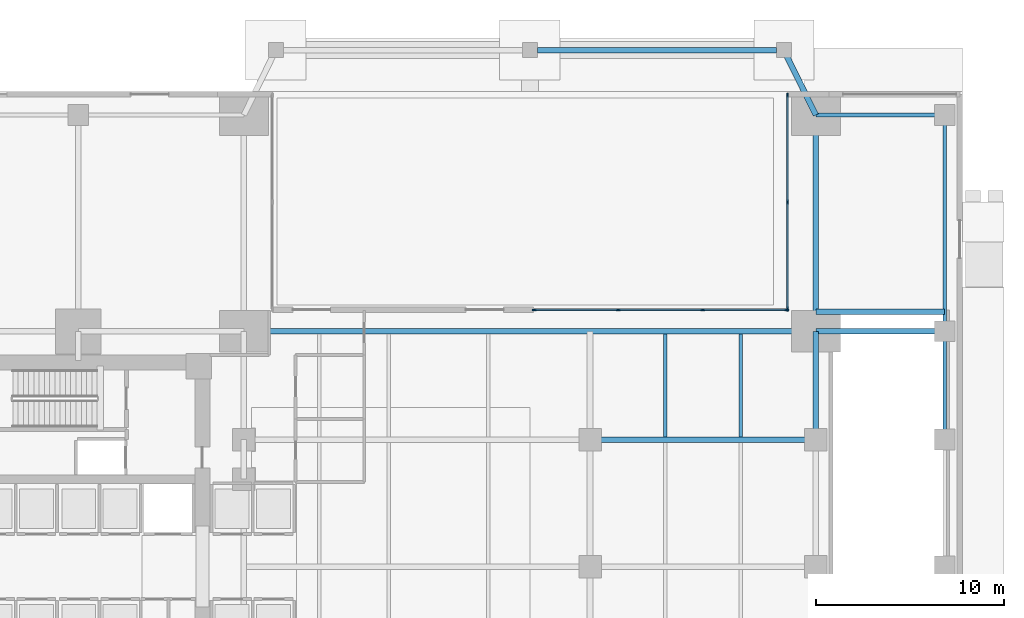
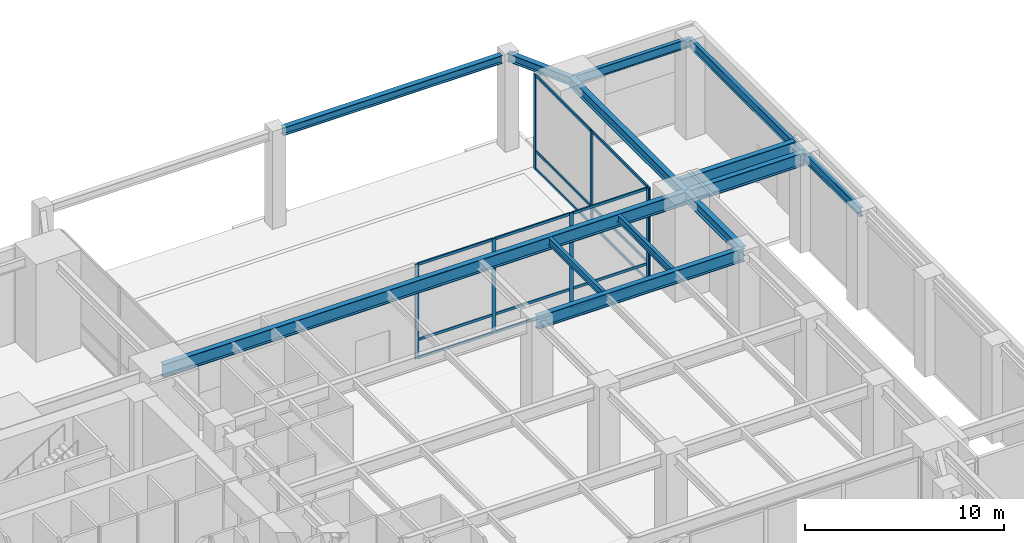
# One storey, part 7 of 17: 22 members, 13 beams, 2 elements without a shape of their own.
"""IFC4 building model written with IfcOpenShell, lengths in metres."""

import ifcopenshell
import ifcopenshell.guid

model = None  # the IFC model being written
_history = None  # IfcOwnerHistory: only IFC2X3 demands one
_inside = {}  # id of a spatial element -> (the spatial element, [elements in it])
_under = {}  # id of a project, library or spatial element -> (it, [spatial elements below it])
_declared = {}  # id of a project -> (the project, [libraries it declares])
_typed = {}  # id of a type object -> (the type object, [elements of that type])
_made_of = {}  # id of a material, layer set ... -> (it, [elements and type objects made of it])


def new_model(schema):
    """Start an empty IFC model of exactly this schema.

    Asked for "IFC4X3", IfcOpenShell would pick the latest addendum, in which some entities
    have other attributes; the version numbers below select the first issue.
    IFC2X3 requires an IfcOwnerHistory on every rooted entity: one is made here for all.
    """
    global model, _history
    if schema == "IFC4X3":
        model = ifcopenshell.file(schema_version=(4, 3, 0, 0))
    else:
        model = ifcopenshell.file(schema=schema)
    _inside.clear()
    _under.clear()
    _declared.clear()
    _typed.clear()
    _made_of.clear()
    _history = None
    if model.schema == "IFC2X3":
        org = make("IfcOrganization", Name="unknown")
        user = make(
            "IfcPersonAndOrganization",
            ThePerson=make("IfcPerson", FamilyName="unknown"),
            TheOrganization=org,
        )
        app = make(
            "IfcApplication",
            ApplicationDeveloper=org,
            Version="unknown",
            ApplicationFullName="unknown",
            ApplicationIdentifier="unknown",
        )
        _history = make(
            "IfcOwnerHistory",
            OwningUser=user,
            OwningApplication=app,
            ChangeAction="ADDED",
            CreationDate=0,
        )
    return model


def make(cls, **values):
    """One entity of the class cls with the attributes given. An attribute that is None is left unset."""
    return model.create_entity(
        cls, **{name: value for name, value in values.items() if value is not None}
    )


def rooted(cls, **values):
    """An entity with a GlobalId (a new one), such as an element, a storey or a relation."""
    return make(cls, GlobalId=ifcopenshell.guid.new(), OwnerHistory=_history, **values)


def si_unit(unit_type, name, prefix=None):
    """IfcSIUnit, for example si_unit("LENGTHUNIT", "METRE", prefix="MILLI")."""
    return make("IfcSIUnit", UnitType=unit_type, Prefix=prefix, Name=name)


def assignment(units):
    """IfcUnitAssignment: the units of a project."""
    return None if units is None else make("IfcUnitAssignment", Units=units)


def point(xyz):
    """IfcCartesianPoint."""
    return None if xyz is None else make("IfcCartesianPoint", Coordinates=xyz)


def direction(xyz):
    """IfcDirection."""
    return None if xyz is None else make("IfcDirection", DirectionRatios=xyz)


def frame(location, z_axis=None, x_axis=None):
    """IfcAxis2Placement3D, a coordinate frame: its origin and axes. An axis left out is left unset."""
    return make(
        "IfcAxis2Placement3D",
        Location=point(location),
        Axis=direction(z_axis),
        RefDirection=direction(x_axis),
    )


def frame_2d(location, x_axis=None):
    """IfcAxis2Placement2D, a coordinate frame in the plane: its origin and x axis."""
    return make(
        "IfcAxis2Placement2D", Location=point(location), RefDirection=direction(x_axis)
    )


def origin():
    """The frame at (0, 0, 0) with its axes left unset."""
    return frame((0.0, 0.0, 0.0))


def origin_2d():
    """The frame at (0, 0) in the plane with its x axis left unset."""
    return frame_2d((0.0, 0.0))


def place(relative_to, where):
    """IfcLocalPlacement: puts the frame where relative to a parent placement (None: the world)."""
    return make(
        "IfcLocalPlacement", PlacementRelTo=relative_to, RelativePlacement=where
    )


def context(
    kind, dimensions, precision=None, world=None, true_north=None, identifier=None
):
    """IfcGeometricRepresentationContext, for example the 3D "Model" context."""
    return make(
        "IfcGeometricRepresentationContext",
        ContextIdentifier=identifier,
        ContextType=kind,
        CoordinateSpaceDimension=dimensions,
        Precision=precision,
        WorldCoordinateSystem=world,
        TrueNorth=true_north,
    )


def subcontext(parent, identifier, kind, view, scale=None):
    """IfcGeometricRepresentationSubContext, for example "Body" below "Model"."""
    return make(
        "IfcGeometricRepresentationSubContext",
        ContextIdentifier=identifier,
        ContextType=kind,
        ParentContext=parent,
        TargetScale=scale,
        TargetView=view,
    )


def project(units=None, contexts=None):
    """IfcProject with its units and contexts."""
    return rooted(
        "IfcProject",
        Name="project",
        RepresentationContexts=contexts,
        UnitsInContext=assignment(units),
    )


def spatial(cls, under=None, at=None, **own):
    """A site, building, storey or space (cls), placed at a placement, below another one or the project."""
    s = rooted(cls, ObjectPlacement=at, **own)
    if under is not None:
        _under.setdefault(under.id(), (under, []))[1].append(s)
    return s


def profile(cls, at=None, kind="AREA", **sizes):
    """A parametric profile (cls). Its sizes go by their IFC names, for example OverallWidth=200.0."""
    return make(cls, ProfileType=kind, Position=at, **sizes)


def rectangle(**sizes):
    """IfcRectangleProfileDef."""
    return profile("IfcRectangleProfileDef", **sizes)


def i_section(**sizes):
    """IfcIShapeProfileDef."""
    return profile("IfcIShapeProfileDef", **sizes)


def extrude(swept, where, along, depth):
    """IfcExtrudedAreaSolid: the profile swept, set in the frame where, extruded along a direction by depth."""
    return make(
        "IfcExtrudedAreaSolid",
        SweptArea=swept,
        Position=where,
        ExtrudedDirection=direction(along),
        Depth=depth,
    )


def shape(context_of_items, identifier, shape_type, items):
    """IfcShapeRepresentation: the items that make up one representation, for example the "Body"."""
    return make(
        "IfcShapeRepresentation",
        ContextOfItems=context_of_items,
        RepresentationIdentifier=identifier,
        RepresentationType=shape_type,
        Items=items,
    )


def material(Name=None, Category=None):
    """IfcMaterial."""
    return make("IfcMaterial", Name=Name, Category=Category)


def layer(
    of_material, thickness, ventilated=None, Name=None, Category=None, Priority=None
):
    """IfcMaterialLayer: one layer of a wall or slab, of a material (None: an air gap)."""
    return make(
        "IfcMaterialLayer",
        Material=of_material,
        LayerThickness=thickness,
        IsVentilated=ventilated,
        Name=Name,
        Category=Category,
        Priority=Priority,
    )


def layer_set(layers, Name=None):
    """IfcMaterialLayerSet."""
    return make("IfcMaterialLayerSet", MaterialLayers=layers, LayerSetName=Name)


def material_profile(
    of_material, cross_section, Name=None, Category=None, Priority=None
):
    """IfcMaterialProfile: a cross section and its material."""
    return make(
        "IfcMaterialProfile",
        Name=Name,
        Material=of_material,
        Profile=cross_section,
        Priority=Priority,
        Category=Category,
    )


def profile_set(profiles, Name=None, composite=None):
    """IfcMaterialProfileSet."""
    return make(
        "IfcMaterialProfileSet",
        Name=Name,
        MaterialProfiles=profiles,
        CompositeProfile=composite,
    )


def made_of(thing, what):
    """Note that an element or type object is made of a material, layer set ...; save() writes the relation."""
    if what is not None:
        _made_of.setdefault(what.id(), (what, []))[1].append(thing)
    return thing


def type_object(cls, material=None, **own):
    """A type object (cls), such as IfcWallType, which elements share."""
    return made_of(rooted(cls, **own), material)


def element(
    cls,
    number,
    at=None,
    inside=None,
    cuts=None,
    type_object=None,
    material=None,
    context=None,
    identifier="Body",
    shape_type=None,
    held_by="IfcProductDefinitionShape",
    body=None,
    shapes=None,
    **own,
):
    """One element of the class cls, such as IfcWall. Its Tag is "e" and its number.

    at: its placement. inside: the storey or other place that contains it. cuts: it is an
    opening in that element (IfcRelVoidsElement). A single representation is given by context,
    identifier, shape_type and body (its items); several are given by shapes. held_by: the class
    of the entity that holds the representations. save() writes the other relations.
    """
    e = rooted(cls, Tag="e%d" % number, ObjectPlacement=at, **own)
    if body is not None:
        shapes = [shape(context, identifier, shape_type, body)]
    if shapes is not None:
        e.Representation = make(held_by, Representations=shapes)
    if inside is not None:
        _inside.setdefault(inside.id(), (inside, []))[1].append(e)
    if cuts is not None:
        rooted(
            "IfcRelVoidsElement", RelatingBuildingElement=cuts, RelatedOpeningElement=e
        )
    if type_object is not None:
        _typed.setdefault(type_object.id(), (type_object, []))[1].append(e)
    return made_of(e, material)


def aggregate(whole, parts):
    """IfcRelAggregates: a whole, such as a stair, and the parts it consists of."""
    return rooted("IfcRelAggregates", RelatingObject=whole, RelatedObjects=parts)


def save(model, path):
    """Write the relations noted so far, then the file.

    IfcRelAggregates (storeys below a building ...), IfcRelContainedInSpatialStructure (elements
    in a storey), IfcRelDefinesByType, IfcRelAssociatesMaterial and IfcRelDeclares: one each for
    every whole, place, type object, material and project.
    """
    for whole, parts in _under.values():
        aggregate(whole, parts)
    for where, things in _inside.values():
        rooted(
            "IfcRelContainedInSpatialStructure",
            RelatedElements=things,
            RelatingStructure=where,
        )
    for kind, things in _typed.values():
        rooted("IfcRelDefinesByType", RelatedObjects=things, RelatingType=kind)
    for what, things in _made_of.values():
        rooted("IfcRelAssociatesMaterial", RelatedObjects=things, RelatingMaterial=what)
    for by, libraries in _declared.values():
        rooted("IfcRelDeclares", RelatingContext=by, RelatedDefinitions=libraries)
    model.write(path)


model = new_model("IFC4")

# Units and contexts
model_context = context("Model", 3, precision=1e-05, world=origin(), true_north=direction((0.0, 1.0)))
body_context = subcontext(model_context, "Body", "Model", "MODEL_VIEW")
ifc_project = project(units=[si_unit("LENGTHUNIT", "METRE"), si_unit("AREAUNIT", "SQUARE_METRE"), si_unit("VOLUMEUNIT", "CUBIC_METRE"), si_unit("PLANEANGLEUNIT", "RADIAN"), si_unit("MASSUNIT", "GRAM", prefix="KILO")], contexts=[model_context])

# Site, building, storey
site_placement = place(None, origin())
site = spatial("IfcSite", under=ifc_project, at=site_placement, CompositionType="ELEMENT")
building_placement = place(site_placement, origin())
building = spatial("IfcBuilding", under=site, at=building_placement, Name="Kinhvarn Gate Tower", CompositionType="ELEMENT")
storey_placement = place(building_placement, origin())
storey = spatial("IfcBuildingStorey", under=building, at=storey_placement, Name="L00", CompositionType="ELEMENT", Elevation=0.0)

# Curtain wall, members
ifc_material_1 = material(Name="Anodised aluminium AW-6063", Category="aluminium")
ifc_layer = layer(ifc_material_1, 0.219970703125)
ifc_layer_set = layer_set([ifc_layer], Name="Anodised aluminium AW-6063")
curtain_wall_type = type_object("IfcCurtainWallType", Name="CW-SYS-1", PredefinedType="NOTDEFINED", material=ifc_layer_set)
curtain_wall_1_placement = place(storey_placement, origin())
curtain_wall_1 = element("IfcCurtainWall", 1, at=curtain_wall_1_placement, inside=storey, type_object=curtain_wall_type, Name="Curtain Wall CW1 (L00)", PredefinedType="NOTDEFINED")
ifc_material_profile_1 = material_profile(ifc_material_1, rectangle(XDim=0.080078125, YDim=0.219970703125, at=origin_2d()), Name="ALU 80x220")
ifc_profile_set_1 = profile_set([ifc_material_profile_1], Name="Anodised aluminium AW-6063")
member_type_1 = type_object("IfcMemberType", Name="CW-MUL-220", PredefinedType="MULLION", material=ifc_profile_set_1)
member_1_placement = place(storey_placement, frame((48.68994140625, 50.31005859375, 0.0), z_axis=(0.0, 0.0, 1.0), x_axis=(1.0, 0.0, 0.0)))
member_1 = element("IfcMember", 2, at=member_1_placement, type_object=member_type_1, Name="CW1 mullion 1", PredefinedType="MULLION", context=body_context, shape_type="SweptSolid", body=[
    extrude(rectangle(XDim=0.080078125, YDim=0.219970703125, at=origin_2d()), origin(), (0.0, 0.0, 1.0), 5.800048828125),
])
member_2_placement = place(storey_placement, frame((48.68994140625, 44.625, 0.0), z_axis=(0.0, 0.0, 1.0), x_axis=(1.0, 0.0, 0.0)))
member_2 = element("IfcMember", 3, at=member_2_placement, type_object=member_type_1, Name="CW1 mullion 2", PredefinedType="MULLION", context=body_context, shape_type="SweptSolid", body=[
    extrude(rectangle(XDim=0.080078125, YDim=0.219970703125, at=origin_2d()), origin(), (0.0, 0.0, 1.0), 5.800048828125),
])
member_3_placement = place(storey_placement, frame((48.68994140625, 38.93994140625, 0.0), z_axis=(0.0, 0.0, 1.0), x_axis=(1.0, 0.0, 0.0)))
member_3 = element("IfcMember", 4, at=member_3_placement, type_object=member_type_1, Name="CW1 mullion 3", PredefinedType="MULLION", context=body_context, shape_type="SweptSolid", body=[
    extrude(rectangle(XDim=0.080078125, YDim=0.219970703125, at=origin_2d()), origin(), (0.0, 0.0, 1.0), 5.800048828125),
])

curtain_wall_2_placement = place(storey_placement, origin())
curtain_wall_2 = element("IfcCurtainWall", 5, at=curtain_wall_2_placement, inside=storey, type_object=curtain_wall_type, Name="Curtain Wall CW1 (L00)", PredefinedType="NOTDEFINED")
member_4_placement = place(storey_placement, frame((48.64990234375, 38.89990234375, 0.0), z_axis=(0.0, 0.0, 1.0), x_axis=(0.0, -1.0, 0.0)))
member_4 = element("IfcMember", 6, at=member_4_placement, type_object=member_type_1, Name="CW1 mullion 1", PredefinedType="MULLION", context=body_context, shape_type="SweptSolid", body=[
    extrude(rectangle(XDim=0.080078125, YDim=0.219970703125, at=origin_2d()), origin(), (0.0, 0.0, 1.0), 5.800048828125),
])
member_5_placement = place(storey_placement, frame((44.193359375, 38.89990234375, 0.0), z_axis=(0.0, 0.0, 1.0), x_axis=(0.0, -1.0, 0.0)))
member_5 = element("IfcMember", 7, at=member_5_placement, type_object=member_type_1, Name="CW1 mullion 2", PredefinedType="MULLION", context=body_context, shape_type="SweptSolid", body=[
    extrude(rectangle(XDim=0.080078125, YDim=0.219970703125, at=origin_2d()), origin(), (0.0, 0.0, 1.0), 5.800048828125),
])
member_6_placement = place(storey_placement, frame((39.69677734375, 38.89990234375, 0.0), z_axis=(0.0, 0.0, 1.0), x_axis=(0.0, -1.0, 0.0)))
member_6 = element("IfcMember", 8, at=member_6_placement, type_object=member_type_1, Name="CW1 mullion 3", PredefinedType="MULLION", context=body_context, shape_type="SweptSolid", body=[
    extrude(rectangle(XDim=0.080078125, YDim=0.219970703125, at=origin_2d()), origin(), (0.0, 0.0, 1.0), 5.800048828125),
])
member_7_placement = place(storey_placement, frame((35.239990234375, 38.89990234375, 0.0), z_axis=(0.0, 0.0, 1.0), x_axis=(0.0, -1.0, 0.0)))
member_7 = element("IfcMember", 9, at=member_7_placement, type_object=member_type_1, Name="CW1 mullion 4", PredefinedType="MULLION", context=body_context, shape_type="SweptSolid", body=[
    extrude(rectangle(XDim=0.080078125, YDim=0.219970703125, at=origin_2d()), origin(), (0.0, 0.0, 1.0), 5.800048828125),
])

# Member
ifc_material_profile_2 = material_profile(ifc_material_1, rectangle(XDim=0.080078125, YDim=0.159912109375, at=origin_2d()), Name="ALU 80x160")
ifc_profile_set_2 = profile_set([ifc_material_profile_2], Name="Anodised aluminium AW-6063")
member_type_2 = type_object("IfcMemberType", Name="CW-TRN-160", PredefinedType="USERDEFINED", material=ifc_profile_set_2)
member_8_placement = place(storey_placement, frame((48.68994140625, 50.27001953125, 0.0400390625), z_axis=(0.0, -1.0, 0.0), x_axis=(1.0, 0.0, 0.0)))
member_8 = element("IfcMember", 10, at=member_8_placement, type_object=member_type_2, Name="CW1 transom 1.1", ObjectType="TRANSOM", PredefinedType="USERDEFINED", context=body_context, shape_type="SweptSolid", body=[
    extrude(rectangle(XDim=0.080078125, YDim=0.159912109375, at=origin_2d()), origin(), (0.0, 0.0, 1.0), 5.60498046875),
])

member_9_placement = place(storey_placement, frame((48.68994140625, 50.27001953125, 1.14990234375), z_axis=(0.0, -1.0, 0.0), x_axis=(1.0, 0.0, 0.0)))
member_9 = element("IfcMember", 11, at=member_9_placement, type_object=member_type_2, Name="CW1 transom 1.2", ObjectType="TRANSOM", PredefinedType="USERDEFINED", context=body_context, shape_type="SweptSolid", body=[
    extrude(rectangle(XDim=0.080078125, YDim=0.159912109375, at=origin_2d()), origin(), (0.0, 0.0, 1.0), 5.60498046875),
])

member_10_placement = place(storey_placement, frame((48.68994140625, 50.27001953125, 5.760009765625), z_axis=(0.0, -1.0, 0.0), x_axis=(1.0, 0.0, 0.0)))
member_10 = element("IfcMember", 12, at=member_10_placement, type_object=member_type_2, Name="CW1 transom 1.3", ObjectType="TRANSOM", PredefinedType="USERDEFINED", context=body_context, shape_type="SweptSolid", body=[
    extrude(rectangle(XDim=0.080078125, YDim=0.159912109375, at=origin_2d()), origin(), (0.0, 0.0, 1.0), 5.60498046875),
])

member_11_placement = place(storey_placement, frame((48.68994140625, 44.5849609375, 0.0400390625), z_axis=(0.0, -1.0, 0.0), x_axis=(1.0, 0.0, 0.0)))
member_11 = element("IfcMember", 13, at=member_11_placement, type_object=member_type_2, Name="CW1 transom 2.1", ObjectType="TRANSOM", PredefinedType="USERDEFINED", context=body_context, shape_type="SweptSolid", body=[
    extrude(rectangle(XDim=0.080078125, YDim=0.159912109375, at=origin_2d()), origin(), (0.0, 0.0, 1.0), 5.60498046875),
])

member_12_placement = place(storey_placement, frame((48.68994140625, 44.5849609375, 1.14990234375), z_axis=(0.0, -1.0, 0.0), x_axis=(1.0, 0.0, 0.0)))
member_12 = element("IfcMember", 14, at=member_12_placement, type_object=member_type_2, Name="CW1 transom 2.2", ObjectType="TRANSOM", PredefinedType="USERDEFINED", context=body_context, shape_type="SweptSolid", body=[
    extrude(rectangle(XDim=0.080078125, YDim=0.159912109375, at=origin_2d()), origin(), (0.0, 0.0, 1.0), 5.60498046875),
])

member_13_placement = place(storey_placement, frame((48.68994140625, 44.5849609375, 5.760009765625), z_axis=(0.0, -1.0, 0.0), x_axis=(1.0, 0.0, 0.0)))
member_13 = element("IfcMember", 15, at=member_13_placement, type_object=member_type_2, Name="CW1 transom 2.3", ObjectType="TRANSOM", PredefinedType="USERDEFINED", context=body_context, shape_type="SweptSolid", body=[
    extrude(rectangle(XDim=0.080078125, YDim=0.159912109375, at=origin_2d()), origin(), (0.0, 0.0, 1.0), 5.60498046875),
])

aggregate(curtain_wall_1, [member_1, member_2, member_3, member_8, member_9, member_10, member_11, member_12, member_13])

member_14_placement = place(storey_placement, frame((48.610107421875, 38.89990234375, 0.0400390625), z_axis=(-1.0, 0.0, 0.0), x_axis=(0.0, -1.0, 0.0)))
member_14 = element("IfcMember", 16, at=member_14_placement, type_object=member_type_2, Name="CW1 transom 1.1", ObjectType="TRANSOM", PredefinedType="USERDEFINED", context=body_context, shape_type="SweptSolid", body=[
    extrude(rectangle(XDim=0.080078125, YDim=0.159912109375, at=origin_2d()), origin(), (0.0, 0.0, 1.0), 4.376708984375),
])

member_15_placement = place(storey_placement, frame((48.610107421875, 38.89990234375, 1.14990234375), z_axis=(-1.0, 0.0, 0.0), x_axis=(0.0, -1.0, 0.0)))
member_15 = element("IfcMember", 17, at=member_15_placement, type_object=member_type_2, Name="CW1 transom 1.2", ObjectType="TRANSOM", PredefinedType="USERDEFINED", context=body_context, shape_type="SweptSolid", body=[
    extrude(rectangle(XDim=0.080078125, YDim=0.159912109375, at=origin_2d()), origin(), (0.0, 0.0, 1.0), 4.376708984375),
])

member_16_placement = place(storey_placement, frame((48.610107421875, 38.89990234375, 5.760009765625), z_axis=(-1.0, 0.0, 0.0), x_axis=(0.0, -1.0, 0.0)))
member_16 = element("IfcMember", 18, at=member_16_placement, type_object=member_type_2, Name="CW1 transom 1.3", ObjectType="TRANSOM", PredefinedType="USERDEFINED", context=body_context, shape_type="SweptSolid", body=[
    extrude(rectangle(XDim=0.080078125, YDim=0.159912109375, at=origin_2d()), origin(), (0.0, 0.0, 1.0), 4.376708984375),
])

member_17_placement = place(storey_placement, frame((44.1533203125, 38.89990234375, 0.0400390625), z_axis=(-1.0, 0.0, 0.0), x_axis=(0.0, -1.0, 0.0)))
member_17 = element("IfcMember", 19, at=member_17_placement, type_object=member_type_2, Name="CW1 transom 2.1", ObjectType="TRANSOM", PredefinedType="USERDEFINED", context=body_context, shape_type="SweptSolid", body=[
    extrude(rectangle(XDim=0.080078125, YDim=0.159912109375, at=origin_2d()), origin(), (0.0, 0.0, 1.0), 4.416748046875),
])

member_18_placement = place(storey_placement, frame((44.1533203125, 38.89990234375, 1.14990234375), z_axis=(-1.0, 0.0, 0.0), x_axis=(0.0, -1.0, 0.0)))
member_18 = element("IfcMember", 20, at=member_18_placement, type_object=member_type_2, Name="CW1 transom 2.2", ObjectType="TRANSOM", PredefinedType="USERDEFINED", context=body_context, shape_type="SweptSolid", body=[
    extrude(rectangle(XDim=0.080078125, YDim=0.159912109375, at=origin_2d()), origin(), (0.0, 0.0, 1.0), 4.416748046875),
])

member_19_placement = place(storey_placement, frame((44.1533203125, 38.89990234375, 5.760009765625), z_axis=(-1.0, 0.0, 0.0), x_axis=(0.0, -1.0, 0.0)))
member_19 = element("IfcMember", 21, at=member_19_placement, type_object=member_type_2, Name="CW1 transom 2.3", ObjectType="TRANSOM", PredefinedType="USERDEFINED", context=body_context, shape_type="SweptSolid", body=[
    extrude(rectangle(XDim=0.080078125, YDim=0.159912109375, at=origin_2d()), origin(), (0.0, 0.0, 1.0), 4.416748046875),
])

member_20_placement = place(storey_placement, frame((39.65673828125, 38.89990234375, 0.0400390625), z_axis=(-1.0, 0.0, 0.0), x_axis=(0.0, -1.0, 0.0)))
member_20 = element("IfcMember", 22, at=member_20_placement, type_object=member_type_2, Name="CW1 transom 3.1", ObjectType="TRANSOM", PredefinedType="USERDEFINED", context=body_context, shape_type="SweptSolid", body=[
    extrude(rectangle(XDim=0.080078125, YDim=0.159912109375, at=origin_2d()), origin(), (0.0, 0.0, 1.0), 4.376708984375),
])

member_21_placement = place(storey_placement, frame((39.65673828125, 38.89990234375, 1.14990234375), z_axis=(-1.0, 0.0, 0.0), x_axis=(0.0, -1.0, 0.0)))
member_21 = element("IfcMember", 23, at=member_21_placement, type_object=member_type_2, Name="CW1 transom 3.2", ObjectType="TRANSOM", PredefinedType="USERDEFINED", context=body_context, shape_type="SweptSolid", body=[
    extrude(rectangle(XDim=0.080078125, YDim=0.159912109375, at=origin_2d()), origin(), (0.0, 0.0, 1.0), 4.376708984375),
])

member_22_placement = place(storey_placement, frame((39.65673828125, 38.89990234375, 5.760009765625), z_axis=(-1.0, 0.0, 0.0), x_axis=(0.0, -1.0, 0.0)))
member_22 = element("IfcMember", 24, at=member_22_placement, type_object=member_type_2, Name="CW1 transom 3.3", ObjectType="TRANSOM", PredefinedType="USERDEFINED", context=body_context, shape_type="SweptSolid", body=[
    extrude(rectangle(XDim=0.080078125, YDim=0.159912109375, at=origin_2d()), origin(), (0.0, 0.0, 1.0), 4.376708984375),
])

aggregate(curtain_wall_2, [member_4, member_5, member_6, member_7, member_14, member_15, member_16, member_17, member_18, member_19, member_20, member_21, member_22])

# Beams
ifc_material_2 = material(Name="Steel S355", Category="steel")
ifc_material_profile_3 = material_profile(ifc_material_2, i_section(OverallWidth=0.300048828125, OverallDepth=0.5, WebThickness=0.014404296875, FlangeThickness=0.028076171875, at=origin_2d()), Name="HEB 500")
ifc_profile_set_3 = profile_set([ifc_material_profile_3], Name="Steel S355")
beam_type_1 = type_object("IfcBeamType", Name="STL-HEB500", PredefinedType="BEAM", material=ifc_profile_set_3)
beam_1_placement = place(storey_placement, frame((35.39990234375, 52.699951171875, 5.550048828125), z_axis=(1.0, 0.0, 0.0), x_axis=(0.0, 1.0, 0.0)))
element("IfcBeam", 25, at=beam_1_placement, inside=storey, type_object=beam_type_1, Name="Portico Canopy Front Girder N-2", PredefinedType="BEAM", context=body_context, shape_type="SweptSolid", body=[
    extrude(i_section(OverallWidth=0.300048828125, OverallDepth=0.5, WebThickness=0.014404296875, FlangeThickness=0.028076171875, at=origin_2d()), origin(), (0.0, 0.0, 1.0), 12.7001953125),
])
beam_2_placement = place(storey_placement, frame((48.5, 52.699951171875, 5.550048828125), z_axis=(0.442000785414, -0.897014663031, 0.0), x_axis=(0.897014663031, 0.442000785414, 0.0)))
element("IfcBeam", 26, at=beam_2_placement, inside=storey, type_object=beam_type_1, Name="Portico Canopy East Tie Girder N", PredefinedType="BEAM", context=body_context, shape_type="SweptSolid", body=[
    extrude(i_section(OverallWidth=0.300048828125, OverallDepth=0.5, WebThickness=0.014404296875, FlangeThickness=0.028076171875, at=origin_2d()), origin(), (0.0, 0.0, 1.0), 3.845947265625),
])
ifc_material_profile_4 = material_profile(ifc_material_2, i_section(OverallWidth=0.300048828125, OverallDepth=0.60009765625, WebThickness=0.015380859375, FlangeThickness=0.030029296875, at=origin_2d()), Name="HEB 600")
ifc_profile_set_4 = profile_set([ifc_material_profile_4], Name="Steel S355")
beam_type_2 = type_object("IfcBeamType", Name="STL-HEB600", PredefinedType="BEAM", material=ifc_profile_set_4)
beam_3_placement = place(storey_placement, frame((50.199951171875, 32.0, 5.5), z_axis=(0.0, 1.0, 0.0), x_axis=(-1.0, 0.0, 0.0)))
element("IfcBeam", 27, at=beam_3_placement, inside=storey, type_object=beam_type_2, Name="Floor Beam PG-16 (L00 APE-5)", PredefinedType="BEAM", context=body_context, shape_type="SweptSolid", body=[
    extrude(i_section(OverallWidth=0.300048828125, OverallDepth=0.60009765625, WebThickness=0.015380859375, FlangeThickness=0.030029296875, at=origin_2d()), origin(), (0.0, 0.0, 1.0), 5.75),
])
beam_4_placement = place(storey_placement, frame((50.199951171875, 37.75, 5.5), z_axis=(0.0, 1.0, 0.0), x_axis=(-1.0, 0.0, 0.0)))
element("IfcBeam", 28, at=beam_4_placement, inside=storey, type_object=beam_type_2, Name="Floor Beam PG-16 (L00 APE-6)", PredefinedType="BEAM", context=body_context, shape_type="SweptSolid", body=[
    extrude(i_section(OverallWidth=0.300048828125, OverallDepth=0.60009765625, WebThickness=0.015380859375, FlangeThickness=0.030029296875, at=origin_2d()), origin(), (0.0, 0.0, 1.0), 11.5),
])
ifc_material_profile_5 = material_profile(ifc_material_2, i_section(OverallWidth=0.300048828125, OverallDepth=0.800048828125, WebThickness=0.017578125, FlangeThickness=0.032958984375, at=origin_2d()), Name="HEB 800")
ifc_profile_set_5 = profile_set([ifc_material_profile_5], Name="Steel S355")
beam_type_3 = type_object("IfcBeamType", Name="STL-HEB800", PredefinedType="BEAM", material=ifc_profile_set_5)
for number, where, z_axis, x_axis, name in (
    (29, (50.199951171875, 37.75, 5.39990234375), (1.0, 0.0, 0.0), (0.0, 1.0, 0.0), "Floor Beam PG-19 (L00 SPN-E)"),
    (30, (50.199951171875, 38.800048828125, 5.39990234375), (1.0, 0.0, 0.0), (0.0, 1.0, 0.0), "Floor Beam PG-19 (L00 RMP-TRM-2)"),
):
    element("IfcBeam", number, at=place(storey_placement, frame(where, z_axis=z_axis, x_axis=x_axis)), inside=storey, type_object=beam_type_3, Name=name, PredefinedType="BEAM", context=body_context, shape_type="SweptSolid", body=[
        extrude(i_section(OverallWidth=0.300048828125, OverallDepth=0.800048828125, WebThickness=0.017578125, FlangeThickness=0.032958984375, at=origin_2d()), origin(), (0.0, 0.0, 1.0), 6.85009765625),
    ])
beam_5_placement = place(storey_placement, frame((19.800048828125, 37.75, 5.39990234375), z_axis=(1.0, 0.0, 0.0), x_axis=(0.0, 1.0, 0.0)))
element("IfcBeam", 31, at=beam_5_placement, inside=storey, type_object=beam_type_3, Name="Floor Beam PG-19 (L00 POD-N-MAIN)", PredefinedType="BEAM", context=body_context, shape_type="SweptSolid", body=[
    extrude(i_section(OverallWidth=0.300048828125, OverallDepth=0.800048828125, WebThickness=0.017578125, FlangeThickness=0.032958984375, at=origin_2d()), origin(), (0.0, 0.0, 1.0), 30.39990234375),
])
beam_6_placement = place(storey_placement, frame((38.199951171875, 32.0, 5.39990234375), z_axis=(1.0, 0.0, 0.0), x_axis=(0.0, 1.0, 0.0)))
element("IfcBeam", 32, at=beam_6_placement, inside=storey, type_object=beam_type_3, Name="Floor Beam PG-19 (L00 POD-EW2-32)", PredefinedType="BEAM", context=body_context, shape_type="SweptSolid", body=[
    extrude(i_section(OverallWidth=0.300048828125, OverallDepth=0.800048828125, WebThickness=0.017578125, FlangeThickness=0.032958984375, at=origin_2d()), origin(), (0.0, 0.0, 1.0), 12.0),
])
ifc_material_profile_6 = material_profile(ifc_material_2, i_section(OverallWidth=0.18994140625, OverallDepth=0.449951171875, WebThickness=0.009521484375, FlangeThickness=0.0146484375, at=origin_2d()), Name="IPE 450")
ifc_profile_set_6 = profile_set([ifc_material_profile_6], Name="Steel S355")
beam_type_4 = type_object("IfcBeamType", Name="STL-IPE450", PredefinedType="JOIST", material=ifc_profile_set_6)
for number, where, z_axis, x_axis, name in (
    (33, (42.199951171875, 32.14990234375, 5.574951171875), (0.0, 1.0, 0.0), (-1.0, 0.0, 0.0), "Floor Joist SB-06 (L00 POD-J422-32)"),
    (34, (46.199951171875, 32.14990234375, 5.574951171875), (0.0, 1.0, 0.0), (-1.0, 0.0, 0.0), "Floor Joist SB-06 (L00 POD-J462-32)"),
):
    element("IfcBeam", number, at=place(storey_placement, frame(where, z_axis=z_axis, x_axis=x_axis)), inside=storey, type_object=beam_type_4, Name=name, PredefinedType="JOIST", context=body_context, shape_type="SweptSolid", body=[
        extrude(i_section(OverallWidth=0.18994140625, OverallDepth=0.449951171875, WebThickness=0.009521484375, FlangeThickness=0.0146484375, at=origin_2d()), origin(), (0.0, 0.0, 1.0), 5.4501953125),
    ])
ifc_material_profile_7 = material_profile(ifc_material_2, i_section(OverallWidth=0.2099609375, OverallDepth=0.550048828125, WebThickness=0.010986328125, FlangeThickness=0.01708984375, at=origin_2d()), Name="IPE 550")
ifc_profile_set_7 = profile_set([ifc_material_profile_7], Name="Steel S355")
beam_type_5 = type_object("IfcBeamType", Name="STL-IPE550", PredefinedType="SPANDREL", material=ifc_profile_set_7)
beam_7_placement = place(storey_placement, frame((57.050048828125, 32.0, 5.52490234375), z_axis=(0.0, 1.0, 0.0), x_axis=(-1.0, 0.0, 0.0)))
element("IfcBeam", 35, at=beam_7_placement, inside=storey, type_object=beam_type_5, Name="Floor Spandrel SB-08 (L00 PERE-5)", PredefinedType="SPANDREL", context=body_context, shape_type="SweptSolid", body=[
    extrude(i_section(OverallWidth=0.2099609375, OverallDepth=0.550048828125, WebThickness=0.010986328125, FlangeThickness=0.01708984375, at=origin_2d()), origin(), (0.0, 0.0, 1.0), 5.75),
])
beam_8_placement = place(storey_placement, frame((57.050048828125, 37.75, 5.52490234375), z_axis=(0.0, 1.0, 0.0), x_axis=(-1.0, 0.0, 0.0)))
element("IfcBeam", 36, at=beam_8_placement, inside=storey, type_object=beam_type_5, Name="Floor Spandrel SB-08 (L00 PERE-6)", PredefinedType="SPANDREL", context=body_context, shape_type="SweptSolid", body=[
    extrude(i_section(OverallWidth=0.2099609375, OverallDepth=0.550048828125, WebThickness=0.010986328125, FlangeThickness=0.01708984375, at=origin_2d()), origin(), (0.0, 0.0, 1.0), 11.5),
])
beam_9_placement = place(storey_placement, frame((50.199951171875, 49.25, 5.52490234375), z_axis=(1.0, 0.0, 0.0), x_axis=(0.0, 1.0, 0.0)))
element("IfcBeam", 37, at=beam_9_placement, inside=storey, type_object=beam_type_5, Name="Floor Spandrel SB-08 (L00 SP-POD-NE)", PredefinedType="SPANDREL", context=body_context, shape_type="SweptSolid", body=[
    extrude(i_section(OverallWidth=0.2099609375, OverallDepth=0.550048828125, WebThickness=0.010986328125, FlangeThickness=0.01708984375, at=origin_2d()), origin(), (0.0, 0.0, 1.0), 6.85009765625),
])

save(model, "model.ifc")
